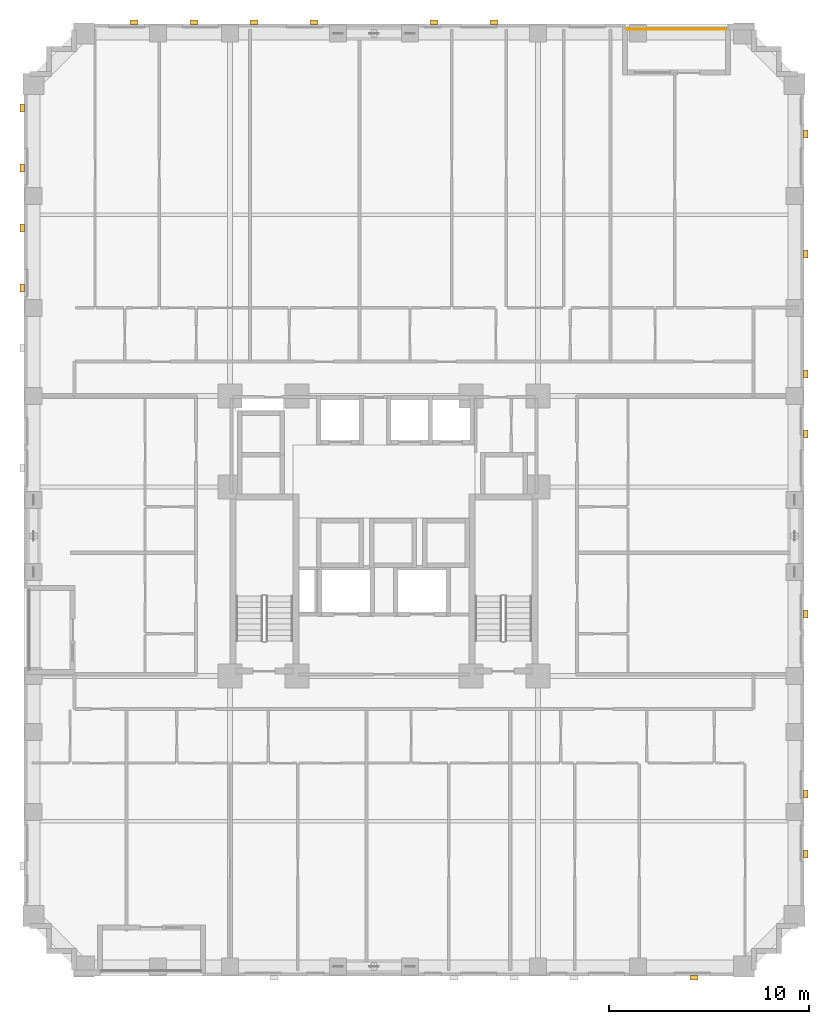
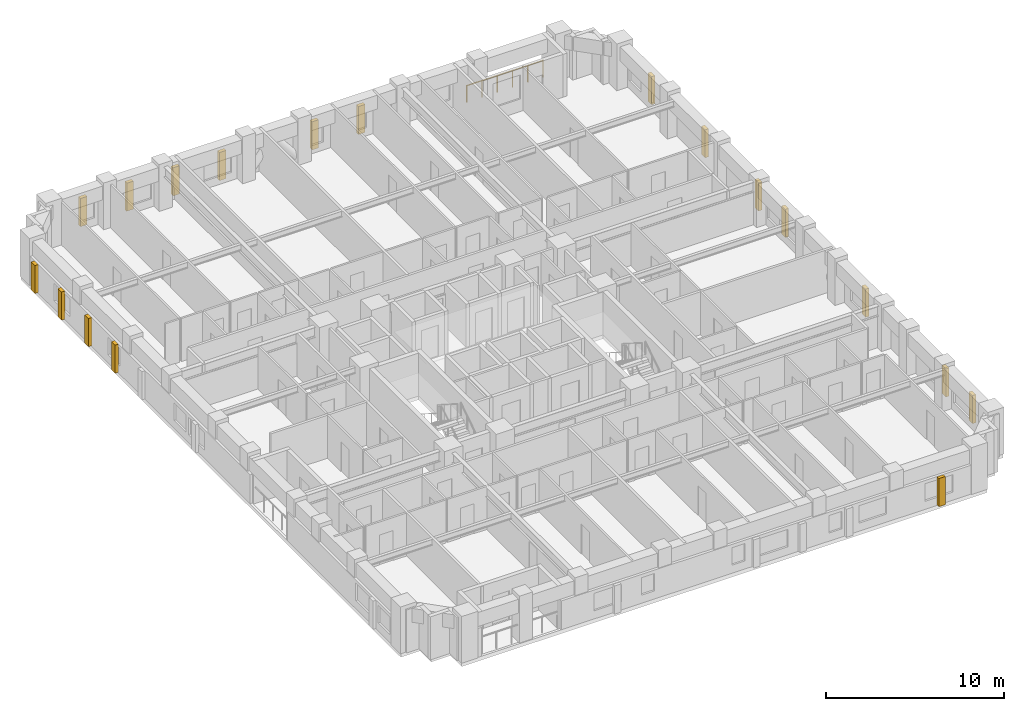
# One storey, part 14 of 14: 18 coverings, 1 railing.
"""IFC4 building model written with IfcOpenShell, lengths in metres."""

from ifc_helpers import new_model, si_unit, derived_unit, direction, frame, origin, origin_2d, place, context, subcontext, project, spatial, rectangle, circle, extrude, material, layer, layer_set, type_object, element, save


model = new_model("IFC4")

# Units and contexts
model_context = context("Model", 3, precision=1e-05, world=origin(), true_north=direction((0.0, 1.0)))
body_context = subcontext(model_context, "Body", "Model", "MODEL_VIEW")
ifc_project = project(units=[si_unit("LENGTHUNIT", "METRE"), si_unit("AREAUNIT", "SQUARE_METRE"), si_unit("VOLUMEUNIT", "CUBIC_METRE"), si_unit("PLANEANGLEUNIT", "RADIAN"), si_unit("MASSUNIT", "GRAM", prefix="KILO"), derived_unit("THERMALTRANSMITTANCEUNIT", [(si_unit("MASSUNIT", "GRAM", prefix="KILO"), 1), (si_unit("TIMEUNIT", "SECOND"), -3), (si_unit("THERMODYNAMICTEMPERATUREUNIT", "KELVIN"), -1)])], contexts=[model_context])

# Site, building, storey
site_placement = place(None, origin())
site = spatial("IfcSite", under=ifc_project, at=site_placement, CompositionType="ELEMENT")
building_placement = place(site_placement, origin())
building = spatial("IfcBuilding", under=site, at=building_placement, Name="Korrvale Station Residences", CompositionType="ELEMENT")
storey_placement = place(building_placement, frame((0.0, 0.0, 54.60009765625)))
storey = spatial("IfcBuildingStorey", under=building, at=storey_placement, Name="L14", CompositionType="ELEMENT", Elevation=54.60009765625)

# Coverings
ifc_material_1 = material(Name="Architectural precast concrete C45/55", Category="concrete")
ifc_layer = layer(ifc_material_1, 0.219970703125, Name="Architectural precast concrete C45/55")
ifc_layer_set = layer_set([ifc_layer], Name="Architectural precast concrete C45/55")
covering_type = type_object("IfcCoveringType", Name="COV-PIER-400", PredefinedType="CLADDING", material=ifc_layer_set)
for number, where, z_axis, x_axis, name in (
    (1, (41.0, -0.090087890625, 0.02490234375), (0.0, 0.0, 1.0), (1.0, 0.0, 0.0), "L14 Architectural Precast Facade Pier 01"),
    (2, (13.0, 47.68994140625, 0.02490234375), (0.0, 0.0, 1.0), (1.0, 0.0, 0.0), "L14 Architectural Precast Facade Pier 06"),
    (3, (16.0, 47.68994140625, 0.02490234375), (0.0, 0.0, 1.0), (1.0, 0.0, 0.0), "L14 Architectural Precast Facade Pier 07"),
    (4, (19.0, 47.68994140625, 0.02490234375), (0.0, 0.0, 1.0), (1.0, 0.0, 0.0), "L14 Architectural Precast Facade Pier 08"),
    (5, (22.0, 47.68994140625, 0.02490234375), (0.0, 0.0, 1.0), (1.0, 0.0, 0.0), "L14 Architectural Precast Facade Pier 09"),
    (6, (28.0, 47.68994140625, 0.02490234375), (0.0, 0.0, 1.0), (1.0, 0.0, 0.0), "L14 Architectural Precast Facade Pier 10"),
    (7, (31.0, 47.68994140625, 0.02490234375), (0.0, 0.0, 1.0), (1.0, 0.0, 0.0), "L14 Architectural Precast Facade Pier 11"),
    (8, (7.409912109375, 34.39990234375, 0.02490234375), (0.0, 0.0, 1.0), (0.0, 1.0, 0.0), "L14 Architectural Precast Facade Pier 15"),
    (9, (7.409912109375, 37.39990234375, 0.02490234375), (0.0, 0.0, 1.0), (0.0, 1.0, 0.0), "L14 Architectural Precast Facade Pier 16"),
    (10, (7.409912109375, 40.39990234375, 0.02490234375), (0.0, 0.0, 1.0), (0.0, 1.0, 0.0), "L14 Architectural Precast Facade Pier 17"),
    (11, (7.409912109375, 43.39990234375, 0.02490234375), (0.0, 0.0, 1.0), (0.0, 1.0, 0.0), "L14 Architectural Precast Facade Pier 18"),
    (12, (46.590087890625, 42.10009765625, 0.02490234375), (0.0, 0.0, 1.0), (0.0, 1.0, 0.0), "L14 Architectural Precast Facade Pier 19"),
    (13, (46.590087890625, 36.10009765625, 0.02490234375), (0.0, 0.0, 1.0), (0.0, 1.0, 0.0), "L14 Architectural Precast Facade Pier 20"),
    (14, (46.590087890625, 30.10009765625, 0.02490234375), (0.0, 0.0, 1.0), (0.0, 1.0, 0.0), "L14 Architectural Precast Facade Pier 21"),
    (15, (46.590087890625, 27.10009765625, 0.02490234375), (0.0, 0.0, 1.0), (0.0, 1.0, 0.0), "L14 Architectural Precast Facade Pier 22"),
    (16, (46.590087890625, 18.10009765625, 0.02490234375), (0.0, 0.0, 1.0), (0.0, 1.0, 0.0), "L14 Architectural Precast Facade Pier 23"),
    (17, (46.590087890625, 9.10009765625, 0.02490234375), (0.0, 0.0, 1.0), (0.0, 1.0, 0.0), "L14 Architectural Precast Facade Pier 24"),
    (18, (46.590087890625, 6.10009765625, 0.02490234375), (0.0, 0.0, 1.0), (0.0, 1.0, 0.0), "L14 Architectural Precast Facade Pier 25"),
):
    element("IfcCovering", number, at=place(storey_placement, frame(where, z_axis=z_axis, x_axis=x_axis)), inside=storey, type_object=covering_type, Name=name, PredefinedType="CLADDING", context=body_context, shape_type="SweptSolid", body=[
        extrude(rectangle(XDim=0.419921875, YDim=0.219970703125, at=origin_2d()), origin(), (0.0, 0.0, 1.0), 1.925048828125),
    ])

# Railing
ifc_material_2 = material(Name="Powder-coated aluminium picket loggia guard", Category="aluminium")
railing_type = type_object("IfcRailingType", Name="RLG-BAL-1150", PredefinedType="GUARDRAIL", material=ifc_material_2)
railing_placement = place(storey_placement, frame((37.64990234375, 47.330078125, 0.0)))
element("IfcRailing", 19, at=railing_placement, inside=storey, type_object=railing_type, Name="L14 Recessed Loggia Guardrail BAL-L14-N1", PredefinedType="GUARDRAIL", context=body_context, shape_type="SweptSolid", body=[
    extrude(circle(Radius=0.02392578125, at=origin_2d()), frame((0.0, 0.0, 1.1259765625), z_axis=(1.0, 0.0, 0.0), x_axis=(0.0, 1.0, 0.0)), (0.0, 0.0, 1.0), 4.9501953125),
    extrude(circle(Radius=0.02099609375, at=origin_2d()), origin(), (0.0, 0.0, 1.0), 1.101806640625),
    extrude(circle(Radius=0.02099609375, at=origin_2d()), frame((0.989990234375, 0.0, 0.0)), (0.0, 0.0, 1.0), 1.101806640625),
    extrude(circle(Radius=0.02099609375, at=origin_2d()), frame((1.97998046875, 0.0, 0.0)), (0.0, 0.0, 1.0), 1.101806640625),
    extrude(circle(Radius=0.02099609375, at=origin_2d()), frame((2.97021484375, 0.0, 0.0)), (0.0, 0.0, 1.0), 1.101806640625),
    extrude(circle(Radius=0.02099609375, at=origin_2d()), frame((3.960205078125, 0.0, 0.0)), (0.0, 0.0, 1.0), 1.101806640625),
    extrude(circle(Radius=0.02099609375, at=origin_2d()), frame((4.9501953125, 0.0, 0.0)), (0.0, 0.0, 1.0), 1.101806640625),
])

save(model, "model.ifc")
